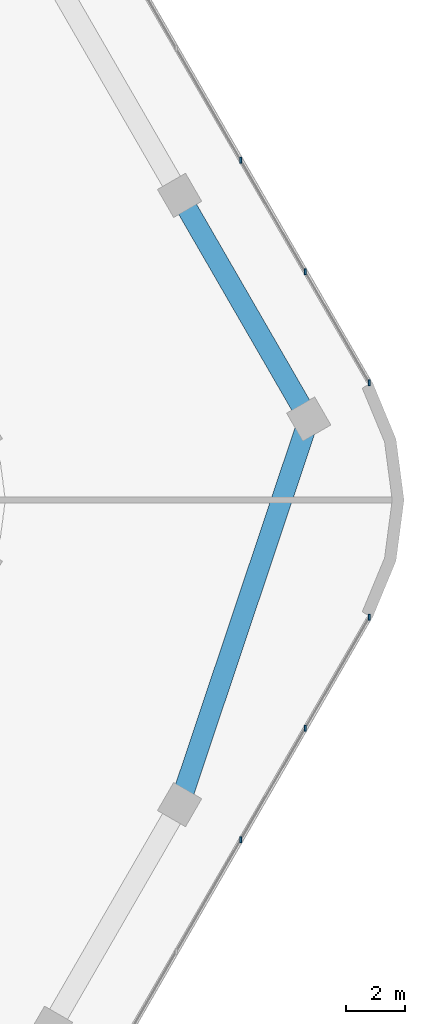
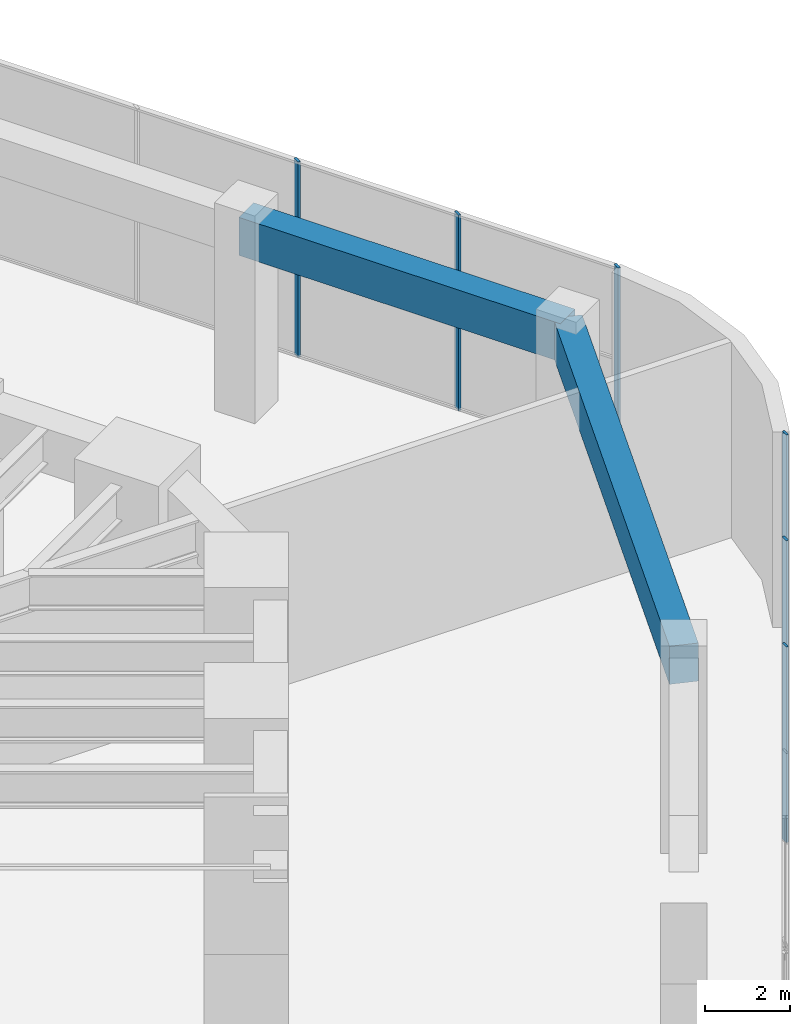
# One storey, part 14 of 31: 6 members, 2 beams, 2 elements without a shape of their own.
"""IFC4 building model written with IfcOpenShell, lengths in metres."""

from ifc_helpers import new_model, si_unit, direction, frame, origin, origin_2d, place, context, subcontext, project, spatial, rectangle, extrude, material, material_profile, profile_set, type_object, element, aggregate, save


model = new_model("IFC4")

# Units and contexts
model_context = context("Model", 3, precision=1e-05, world=origin(), true_north=direction((0.0, 1.0)))
body_context = subcontext(model_context, "Body", "Model", "MODEL_VIEW")
ifc_project = project(units=[si_unit("LENGTHUNIT", "METRE"), si_unit("AREAUNIT", "SQUARE_METRE"), si_unit("VOLUMEUNIT", "CUBIC_METRE"), si_unit("PLANEANGLEUNIT", "RADIAN"), si_unit("MASSUNIT", "GRAM", prefix="KILO")], contexts=[model_context])

# Site, building, storey
site_placement = place(None, origin())
site = spatial("IfcSite", under=ifc_project, at=site_placement, CompositionType="ELEMENT")
building_placement = place(site_placement, origin())
building = spatial("IfcBuilding", under=site, at=building_placement, Name="Tarfa Lantern Tower", CompositionType="ELEMENT")
storey_placement = place(building_placement, frame((0.0, 0.0, 7.0)))
storey = spatial("IfcBuildingStorey", under=building, at=storey_placement, Name="L01", CompositionType="ELEMENT", Elevation=7.0)

# Curtain wall, members
ifc_material_1 = material(Name="Aluminium framed curtain wall", Category="aluminium")
curtain_wall_type = type_object("IfcCurtainWallType", Name="CW7 PODIUM GLAZING 5650", PredefinedType="USERDEFINED", material=ifc_material_1)
curtain_wall_1_placement = place(storey_placement, origin())
curtain_wall_1 = element("IfcCurtainWall", 1, at=curtain_wall_1_placement, inside=storey, type_object=curtain_wall_type, Name="CW7 NE L01", ObjectType="CURTAIN WALL", PredefinedType="USERDEFINED")
ifc_material_2 = material(Name="Aluminium mullion", Category="aluminium")
ifc_material_profile_1 = material_profile(ifc_material_2, rectangle(XDim=0.06494140625, YDim=0.199951171875, at=origin_2d()), Name="AL MULLION 65x200")
ifc_profile_set_1 = profile_set([ifc_material_profile_1], Name="Aluminium mullion")
member_type = type_object("IfcMemberType", Name="CWM1 MULLION 65x200", PredefinedType="MULLION", material=ifc_profile_set_1)
member_1_placement = place(storey_placement, frame((50.703857421875, 3.97802734375, 0.0), z_axis=(0.0, 0.0, 1.0), x_axis=(1.0, 0.0, 0.0)))
member_1 = element("IfcMember", 2, at=member_1_placement, type_object=member_type, Name="CW7 mullion 1", PredefinedType="MULLION", context=body_context, shape_type="SweptSolid", body=[
    extrude(rectangle(XDim=0.06494140625, YDim=0.199951171875, at=origin_2d()), origin(), (0.0, 0.0, 1.0), 5.64990234375),
])
member_2_placement = place(storey_placement, frame((48.5263671875, 7.75, 0.0), z_axis=(0.0, 0.0, 1.0), x_axis=(1.0, 0.0, 0.0)))
member_2 = element("IfcMember", 3, at=member_2_placement, type_object=member_type, Name="CW7 mullion 2", PredefinedType="MULLION", context=body_context, shape_type="SweptSolid", body=[
    extrude(rectangle(XDim=0.06494140625, YDim=0.199951171875, at=origin_2d()), origin(), (0.0, 0.0, 1.0), 5.64990234375),
])
member_3_placement = place(storey_placement, frame((46.332275390625, 11.550048828125, 0.0), z_axis=(0.0, 0.0, 1.0), x_axis=(1.0, 0.0, 0.0)))
member_3 = element("IfcMember", 4, at=member_3_placement, type_object=member_type, Name="CW7 mullion 3", PredefinedType="MULLION", context=body_context, shape_type="SweptSolid", body=[
    extrude(rectangle(XDim=0.06494140625, YDim=0.199951171875, at=origin_2d()), origin(), (0.0, 0.0, 1.0), 5.64990234375),
])
aggregate(curtain_wall_1, [member_1, member_2, member_3])

curtain_wall_2_placement = place(storey_placement, origin())
curtain_wall_2 = element("IfcCurtainWall", 5, at=curtain_wall_2_placement, inside=storey, type_object=curtain_wall_type, Name="CW7 SE L01", ObjectType="CURTAIN WALL", PredefinedType="USERDEFINED")
member_4_placement = place(storey_placement, frame((46.332275390625, -11.550048828125, 0.0), z_axis=(0.0, 0.0, 1.0), x_axis=(1.0, 0.0, 0.0)))
member_4 = element("IfcMember", 6, at=member_4_placement, type_object=member_type, Name="CW7 mullion 9", PredefinedType="MULLION", context=body_context, shape_type="SweptSolid", body=[
    extrude(rectangle(XDim=0.06494140625, YDim=0.199951171875, at=origin_2d()), origin(), (0.0, 0.0, 1.0), 5.64990234375),
])
member_5_placement = place(storey_placement, frame((48.5263671875, -7.75, 0.0), z_axis=(0.0, 0.0, 1.0), x_axis=(1.0, 0.0, 0.0)))
member_5 = element("IfcMember", 7, at=member_5_placement, type_object=member_type, Name="CW7 mullion 10", PredefinedType="MULLION", context=body_context, shape_type="SweptSolid", body=[
    extrude(rectangle(XDim=0.06494140625, YDim=0.199951171875, at=origin_2d()), origin(), (0.0, 0.0, 1.0), 5.64990234375),
])
member_6_placement = place(storey_placement, frame((50.703857421875, -3.97802734375, 0.0), z_axis=(0.0, 0.0, 1.0), x_axis=(1.0, 0.0, 0.0)))
member_6 = element("IfcMember", 8, at=member_6_placement, type_object=member_type, Name="CW7 mullion 11", PredefinedType="MULLION", context=body_context, shape_type="SweptSolid", body=[
    extrude(rectangle(XDim=0.06494140625, YDim=0.199951171875, at=origin_2d()), origin(), (0.0, 0.0, 1.0), 5.64990234375),
])
aggregate(curtain_wall_2, [member_4, member_5, member_6])

# Beams
ifc_material_3 = material(Name="Concrete C80/95", Category="concrete")
ifc_material_profile_2 = material_profile(ifc_material_3, rectangle(XDim=0.699951171875, YDim=1.10009765625, at=origin_2d()), Name="RC 700x1100")
ifc_profile_set_2 = profile_set([ifc_material_profile_2], Name="Concrete C80/95")
beam_type = type_object("IfcBeamType", Name="PB1 RC 700x1100", PredefinedType="BEAM", material=ifc_profile_set_2)
beam_1_placement = place(storey_placement, frame((48.641845703125, 2.75, 5.10009765625), z_axis=(-0.50000179687, 0.866024366359, 0.0), x_axis=(-0.866024366359, -0.50000179687, 0.0)))
element("IfcBeam", 9, at=beam_1_placement, inside=storey, type_object=beam_type, Name="Podium ring beam NE0", PredefinedType="BEAM", context=body_context, shape_type="SweptSolid", body=[
    extrude(rectangle(XDim=0.699951171875, YDim=1.10009765625, at=origin_2d()), origin(), (0.0, 0.0, 1.0), 8.77587890625),
])
beam_2_placement = place(storey_placement, frame((44.25390625, -10.35009765625, 5.10009765625), z_axis=(0.317611113529, 0.948221061021, 0.0), x_axis=(-0.948221061021, 0.317611113529, 0.0)))
element("IfcBeam", 10, at=beam_2_placement, inside=storey, type_object=beam_type, Name="Podium ring beam SE4", PredefinedType="BEAM", context=body_context, shape_type="SweptSolid", body=[
    extrude(rectangle(XDim=0.699951171875, YDim=1.10009765625, at=origin_2d()), origin(), (0.0, 0.0, 1.0), 13.8154296875),
])

save(model, "model.ifc")
